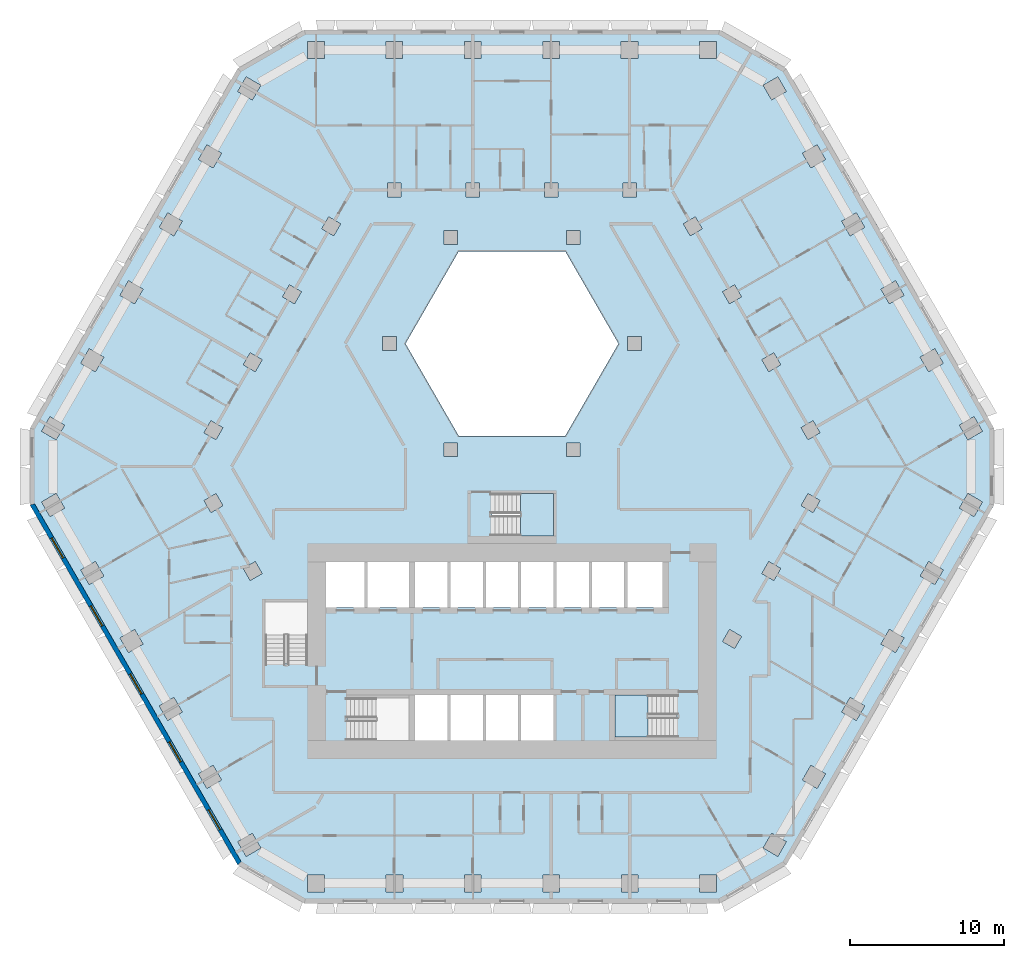
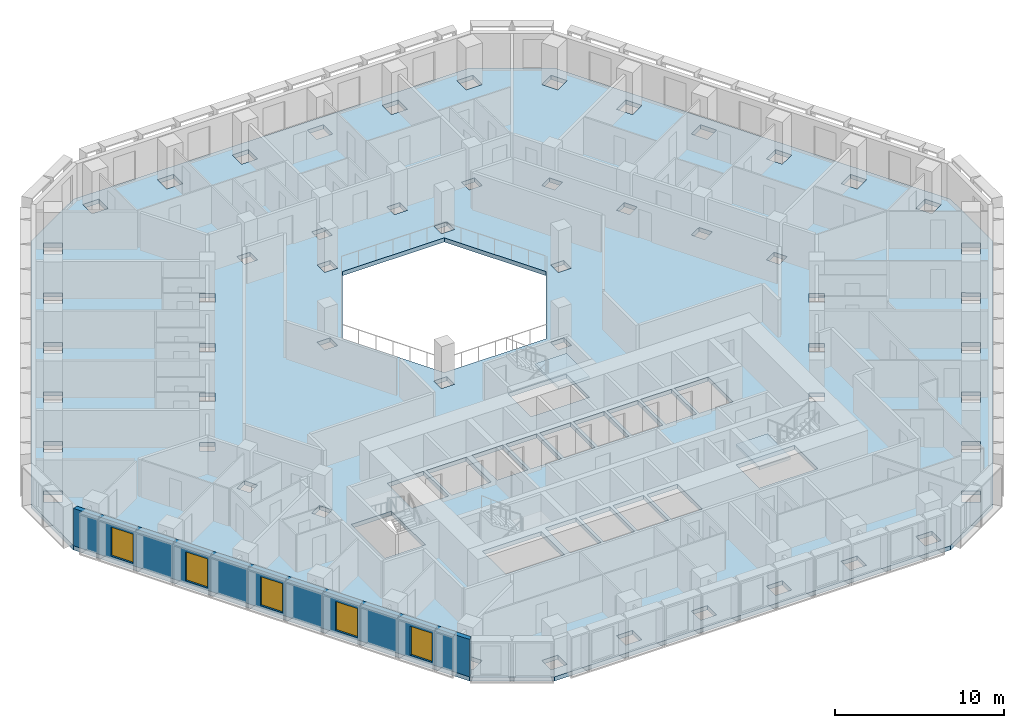
# One storey, part 2 of 16: 5 windows, 3 slabs, 1 wall, 5 openings, 2 elements without a shape of their own.
"""IFC4 building model written with IfcOpenShell, lengths in metres."""

import ifcopenshell
import ifcopenshell.guid

model = None  # the IFC model being written
_history = None  # IfcOwnerHistory: only IFC2X3 demands one
_inside = {}  # id of a spatial element -> (the spatial element, [elements in it])
_under = {}  # id of a project, library or spatial element -> (it, [spatial elements below it])
_declared = {}  # id of a project -> (the project, [libraries it declares])
_typed = {}  # id of a type object -> (the type object, [elements of that type])
_made_of = {}  # id of a material, layer set ... -> (it, [elements and type objects made of it])


def new_model(schema):
    """Start an empty IFC model of exactly this schema.

    Asked for "IFC4X3", IfcOpenShell would pick the latest addendum, in which some entities
    have other attributes; the version numbers below select the first issue.
    IFC2X3 requires an IfcOwnerHistory on every rooted entity: one is made here for all.
    """
    global model, _history
    if schema == "IFC4X3":
        model = ifcopenshell.file(schema_version=(4, 3, 0, 0))
    else:
        model = ifcopenshell.file(schema=schema)
    _inside.clear()
    _under.clear()
    _declared.clear()
    _typed.clear()
    _made_of.clear()
    _history = None
    if model.schema == "IFC2X3":
        org = make("IfcOrganization", Name="unknown")
        user = make(
            "IfcPersonAndOrganization",
            ThePerson=make("IfcPerson", FamilyName="unknown"),
            TheOrganization=org,
        )
        app = make(
            "IfcApplication",
            ApplicationDeveloper=org,
            Version="unknown",
            ApplicationFullName="unknown",
            ApplicationIdentifier="unknown",
        )
        _history = make(
            "IfcOwnerHistory",
            OwningUser=user,
            OwningApplication=app,
            ChangeAction="ADDED",
            CreationDate=0,
        )
    return model


def make(cls, **values):
    """One entity of the class cls with the attributes given. An attribute that is None is left unset."""
    return model.create_entity(
        cls, **{name: value for name, value in values.items() if value is not None}
    )


def rooted(cls, **values):
    """An entity with a GlobalId (a new one), such as an element, a storey or a relation."""
    return make(cls, GlobalId=ifcopenshell.guid.new(), OwnerHistory=_history, **values)


def si_unit(unit_type, name, prefix=None):
    """IfcSIUnit, for example si_unit("LENGTHUNIT", "METRE", prefix="MILLI")."""
    return make("IfcSIUnit", UnitType=unit_type, Prefix=prefix, Name=name)


def assignment(units):
    """IfcUnitAssignment: the units of a project."""
    return None if units is None else make("IfcUnitAssignment", Units=units)


def point(xyz):
    """IfcCartesianPoint."""
    return None if xyz is None else make("IfcCartesianPoint", Coordinates=xyz)


def direction(xyz):
    """IfcDirection."""
    return None if xyz is None else make("IfcDirection", DirectionRatios=xyz)


def frame(location, z_axis=None, x_axis=None):
    """IfcAxis2Placement3D, a coordinate frame: its origin and axes. An axis left out is left unset."""
    return make(
        "IfcAxis2Placement3D",
        Location=point(location),
        Axis=direction(z_axis),
        RefDirection=direction(x_axis),
    )


def frame_2d(location, x_axis=None):
    """IfcAxis2Placement2D, a coordinate frame in the plane: its origin and x axis."""
    return make(
        "IfcAxis2Placement2D", Location=point(location), RefDirection=direction(x_axis)
    )


def origin():
    """The frame at (0, 0, 0) with its axes left unset."""
    return frame((0.0, 0.0, 0.0))


def place(relative_to, where):
    """IfcLocalPlacement: puts the frame where relative to a parent placement (None: the world)."""
    return make(
        "IfcLocalPlacement", PlacementRelTo=relative_to, RelativePlacement=where
    )


def context(
    kind, dimensions, precision=None, world=None, true_north=None, identifier=None
):
    """IfcGeometricRepresentationContext, for example the 3D "Model" context."""
    return make(
        "IfcGeometricRepresentationContext",
        ContextIdentifier=identifier,
        ContextType=kind,
        CoordinateSpaceDimension=dimensions,
        Precision=precision,
        WorldCoordinateSystem=world,
        TrueNorth=true_north,
    )


def subcontext(parent, identifier, kind, view, scale=None):
    """IfcGeometricRepresentationSubContext, for example "Body" below "Model"."""
    return make(
        "IfcGeometricRepresentationSubContext",
        ContextIdentifier=identifier,
        ContextType=kind,
        ParentContext=parent,
        TargetScale=scale,
        TargetView=view,
    )


def project(units=None, contexts=None):
    """IfcProject with its units and contexts."""
    return rooted(
        "IfcProject",
        Name="project",
        RepresentationContexts=contexts,
        UnitsInContext=assignment(units),
    )


def spatial(cls, under=None, at=None, **own):
    """A site, building, storey or space (cls), placed at a placement, below another one or the project."""
    s = rooted(cls, ObjectPlacement=at, **own)
    if under is not None:
        _under.setdefault(under.id(), (under, []))[1].append(s)
    return s


def polyline(points):
    """IfcPolyline through the points."""
    return make("IfcPolyline", Points=[point(p) for p in points])


def profile(cls, at=None, kind="AREA", **sizes):
    """A parametric profile (cls). Its sizes go by their IFC names, for example OverallWidth=200.0."""
    return make(cls, ProfileType=kind, Position=at, **sizes)


def rectangle(**sizes):
    """IfcRectangleProfileDef."""
    return profile("IfcRectangleProfileDef", **sizes)


def outline(outer, holes=None, kind="AREA"):
    """IfcArbitraryClosedProfileDef: a profile drawn as a closed curve; with holes, ...WithVoids."""
    if holes is None:
        return make("IfcArbitraryClosedProfileDef", ProfileType=kind, OuterCurve=outer)
    return make(
        "IfcArbitraryProfileDefWithVoids",
        ProfileType=kind,
        OuterCurve=outer,
        InnerCurves=holes,
    )


def extrude(swept, where, along, depth):
    """IfcExtrudedAreaSolid: the profile swept, set in the frame where, extruded along a direction by depth."""
    return make(
        "IfcExtrudedAreaSolid",
        SweptArea=swept,
        Position=where,
        ExtrudedDirection=direction(along),
        Depth=depth,
    )


def shape(context_of_items, identifier, shape_type, items):
    """IfcShapeRepresentation: the items that make up one representation, for example the "Body"."""
    return make(
        "IfcShapeRepresentation",
        ContextOfItems=context_of_items,
        RepresentationIdentifier=identifier,
        RepresentationType=shape_type,
        Items=items,
    )


def material(Name=None, Category=None):
    """IfcMaterial."""
    return make("IfcMaterial", Name=Name, Category=Category)


def layer(
    of_material, thickness, ventilated=None, Name=None, Category=None, Priority=None
):
    """IfcMaterialLayer: one layer of a wall or slab, of a material (None: an air gap)."""
    return make(
        "IfcMaterialLayer",
        Material=of_material,
        LayerThickness=thickness,
        IsVentilated=ventilated,
        Name=Name,
        Category=Category,
        Priority=Priority,
    )


def layer_set(layers, Name=None):
    """IfcMaterialLayerSet."""
    return make("IfcMaterialLayerSet", MaterialLayers=layers, LayerSetName=Name)


def made_of(thing, what):
    """Note that an element or type object is made of a material, layer set ...; save() writes the relation."""
    if what is not None:
        _made_of.setdefault(what.id(), (what, []))[1].append(thing)
    return thing


def type_object(cls, material=None, **own):
    """A type object (cls), such as IfcWallType, which elements share."""
    return made_of(rooted(cls, **own), material)


def element(
    cls,
    number,
    at=None,
    inside=None,
    cuts=None,
    type_object=None,
    material=None,
    context=None,
    identifier="Body",
    shape_type=None,
    held_by="IfcProductDefinitionShape",
    body=None,
    shapes=None,
    **own,
):
    """One element of the class cls, such as IfcWall. Its Tag is "e" and its number.

    at: its placement. inside: the storey or other place that contains it. cuts: it is an
    opening in that element (IfcRelVoidsElement). A single representation is given by context,
    identifier, shape_type and body (its items); several are given by shapes. held_by: the class
    of the entity that holds the representations. save() writes the other relations.
    """
    e = rooted(cls, Tag="e%d" % number, ObjectPlacement=at, **own)
    if body is not None:
        shapes = [shape(context, identifier, shape_type, body)]
    if shapes is not None:
        e.Representation = make(held_by, Representations=shapes)
    if inside is not None:
        _inside.setdefault(inside.id(), (inside, []))[1].append(e)
    if cuts is not None:
        rooted(
            "IfcRelVoidsElement", RelatingBuildingElement=cuts, RelatedOpeningElement=e
        )
    if type_object is not None:
        _typed.setdefault(type_object.id(), (type_object, []))[1].append(e)
    return made_of(e, material)


def fill(opening, filler):
    """IfcRelFillsElement: the door or window that sits in an opening."""
    return rooted(
        "IfcRelFillsElement",
        RelatingOpeningElement=opening,
        RelatedBuildingElement=filler,
    )


def aggregate(whole, parts):
    """IfcRelAggregates: a whole, such as a stair, and the parts it consists of."""
    return rooted("IfcRelAggregates", RelatingObject=whole, RelatedObjects=parts)


def save(model, path):
    """Write the relations noted so far, then the file.

    IfcRelAggregates (storeys below a building ...), IfcRelContainedInSpatialStructure (elements
    in a storey), IfcRelDefinesByType, IfcRelAssociatesMaterial and IfcRelDeclares: one each for
    every whole, place, type object, material and project.
    """
    for whole, parts in _under.values():
        aggregate(whole, parts)
    for where, things in _inside.values():
        rooted(
            "IfcRelContainedInSpatialStructure",
            RelatedElements=things,
            RelatingStructure=where,
        )
    for kind, things in _typed.values():
        rooted("IfcRelDefinesByType", RelatedObjects=things, RelatingType=kind)
    for what, things in _made_of.values():
        rooted("IfcRelAssociatesMaterial", RelatedObjects=things, RelatingMaterial=what)
    for by, libraries in _declared.values():
        rooted("IfcRelDeclares", RelatingContext=by, RelatedDefinitions=libraries)
    model.write(path)


model = new_model("IFC4")

# Units and contexts
model_context = context("Model", 3, precision=1e-05, world=origin(), true_north=direction((0.0, 1.0)))
body_context = subcontext(model_context, "Body", "Model", "MODEL_VIEW")
ifc_project = project(units=[si_unit("LENGTHUNIT", "METRE"), si_unit("AREAUNIT", "SQUARE_METRE"), si_unit("VOLUMEUNIT", "CUBIC_METRE"), si_unit("PLANEANGLEUNIT", "RADIAN"), si_unit("MASSUNIT", "GRAM", prefix="KILO")], contexts=[model_context])

# Site, building, storey
site_placement = place(None, origin())
site = spatial("IfcSite", under=ifc_project, at=site_placement, CompositionType="ELEMENT")
building_placement = place(site_placement, origin())
building = spatial("IfcBuilding", under=site, at=building_placement, Name="Beryl Residences", CompositionType="ELEMENT")
storey_placement = place(building_placement, frame((0.0, 0.0, 26.39990234375)))
storey = spatial("IfcBuildingStorey", under=building, at=storey_placement, Name="L07", CompositionType="ELEMENT", Elevation=26.39990234375)

# Slab
ifc_material_1 = material(Name="Concrete C40/50", Category="concrete")
ifc_layer_1 = layer(ifc_material_1, 0.300048828125)
ifc_layer_set_1 = layer_set([ifc_layer_1], Name="SL7 PT floor slab 300 mm C40/50")
slab_type_1 = type_object("IfcSlabType", Name="SL7 PT floor slab 300 mm C40/50", PredefinedType="FLOOR", material=ifc_layer_set_1)
slab_1_placement = place(storey_placement, frame((0.0, 0.0, -0.2998046875)))
element("IfcSlab", 1, at=slab_1_placement, inside=storey, type_object=slab_type_1, Name="L07 slab 1", PredefinedType="FLOOR", context=body_context, shape_type="SweptSolid", body=[
    extrude(outline(polyline([(31.35009765625, -2.5), (17.840087890625, -25.89990234375), (13.510009765625, -28.39990234375), (-13.510009765625, -28.39990234375), (-17.840087890625, -25.89990234375), (-31.35009765625, -2.5), (-31.35009765625, 2.5), (-17.840087890625, 25.89990234375), (-13.510009765625, 28.39990234375), (13.510009765625, 28.39990234375), (17.840087890625, 25.89990234375), (31.35009765625, 2.5), (31.35009765625, -2.5)]), holes=[polyline([(30.60009765625, -2.298095703125), (29.64794921875, -1.748046875), (29.097900390625, -2.699951171875), (30.050048828125, -3.25), (30.60009765625, -2.298095703125)]), polyline([(30.59912109375, 2.299072265625), (30.049072265625, 3.2509765625), (29.096923828125, 2.700927734375), (29.64697265625, 1.7490234375), (30.59912109375, 2.299072265625)]), polyline([(28.049072265625, -6.718017578125), (27.096923828125, -6.16796875), (26.547119140625, -7.1201171875), (27.4990234375, -7.669921875), (28.049072265625, -6.718017578125)]), polyline([(27.498046875, 7.672119140625), (26.5458984375, 7.1220703125), (27.095947265625, 6.169921875), (28.048095703125, 6.719970703125), (27.498046875, 7.672119140625)]), polyline([(24.544921875, -10.587890625), (23.9951171875, -11.5400390625), (24.947021484375, -12.090087890625), (25.4970703125, -11.137939453125), (24.544921875, -10.587890625)]), polyline([(25.49609375, 11.139892578125), (24.946044921875, 12.092041015625), (23.993896484375, 11.5419921875), (24.5439453125, 10.590087890625), (25.49609375, 11.139892578125)]), polyline([(22.39501953125, -16.510009765625), (22.945068359375, -15.55810546875), (21.992919921875, -15.008056640625), (21.443115234375, -15.9599609375), (22.39501953125, -16.510009765625)]), polyline([(22.39404296875, 16.511962890625), (21.44189453125, 15.9619140625), (21.991943359375, 15.010009765625), (22.944091796875, 15.56005859375), (22.39404296875, 16.511962890625)]), polyline([(20.39306640625, -19.97900390625), (19.44091796875, -19.428955078125), (18.89111328125, -20.381103515625), (19.843017578125, -20.930908203125), (20.39306640625, -19.97900390625)]), polyline([(19.842041015625, 20.931884765625), (18.889892578125, 20.382080078125), (19.43994140625, 19.429931640625), (20.39208984375, 19.97998046875), (19.842041015625, 20.931884765625)]), polyline([(20.031982421875, -2.2041015625), (19.251953125, -1.75390625), (18.802001953125, -2.533935546875), (19.58203125, -2.98388671875), (20.031982421875, -2.2041015625)]), polyline([(20.031005859375, 2.2060546875), (19.5810546875, 2.986083984375), (18.801025390625, 2.535888671875), (19.2509765625, 1.756103515625), (20.031005859375, 2.2060546875)]), polyline([(17.841064453125, -24.39892578125), (16.888916015625, -23.84912109375), (16.339111328125, -24.801025390625), (17.291015625, -25.35107421875), (17.841064453125, -24.39892578125)]), polyline([(17.840087890625, 24.39990234375), (17.2900390625, 25.35205078125), (16.337890625, 24.802001953125), (16.887939453125, 23.85009765625), (17.840087890625, 24.39990234375)]), polyline([(17.47998046875, -6.6240234375), (16.699951171875, -6.174072265625), (16.25, -6.9541015625), (17.030029296875, -7.404052734375), (17.47998046875, -6.6240234375)]), polyline([(17.029052734375, 7.406005859375), (16.2490234375, 6.9560546875), (16.698974609375, 6.176025390625), (17.47900390625, 6.6259765625), (17.029052734375, 7.406005859375)]), polyline([(14.927978515625, -11.0439453125), (14.14794921875, -10.593994140625), (13.697998046875, -11.3740234375), (14.47802734375, -11.823974609375), (14.927978515625, -11.0439453125)]), polyline([(14.927001953125, 11.0458984375), (14.47705078125, 11.825927734375), (13.697021484375, 11.3759765625), (14.14697265625, 10.595947265625), (14.927001953125, 11.0458984375)]), polyline([(13.31103515625, -27.64990234375), (13.31103515625, -26.550048828125), (12.2109375, -26.550048828125), (12.2109375, -27.64990234375), (13.31103515625, -27.64990234375)]), polyline([(13.30908203125, 27.64990234375), (12.208984375, 27.64990234375), (12.208984375, 26.550048828125), (13.30908203125, 26.550048828125), (13.30908203125, 27.64990234375)]), polyline([(11.925048828125, 16.24609375), (11.14501953125, 15.7958984375), (11.594970703125, 15.01611328125), (12.375, 15.466064453125), (11.925048828125, 16.24609375)]), polyline([(10.699951171875, -14.85009765625), (6.699951171875, -14.85009765625), (6.699951171875, -17.60009765625), (10.699951171875, -17.60009765625), (10.699951171875, -14.85009765625)]), polyline([(9.800048828125, -6.199951171875), (7.5, -6.199951171875), (7.5, -9.14990234375), (9.800048828125, -9.14990234375), (9.800048828125, -6.199951171875)]), polyline([(8.4169921875, 7.550048828125), (8.4169921875, 8.449951171875), (7.51708984375, 8.449951171875), (7.51708984375, 7.550048828125), (8.4169921875, 7.550048828125)]), polyline([(7.10693359375, -27.64990234375), (8.20703125, -27.64990234375), (8.20703125, -26.550048828125), (7.10693359375, -26.550048828125), (7.10693359375, -27.64990234375)]), polyline([(8.205078125, 27.64990234375), (7.10498046875, 27.64990234375), (7.10498046875, 26.550048828125), (8.205078125, 26.550048828125), (8.205078125, 27.64990234375)]), polyline([(7.205078125, 18.449951171875), (7.205078125, 17.550048828125), (8.10498046875, 17.550048828125), (8.10498046875, 18.449951171875), (7.205078125, 18.449951171875)]), polyline([(5.199951171875, -9.14990234375), (7.300048828125, -9.14990234375), (7.300048828125, -6.199951171875), (5.199951171875, -6.199951171875), (5.199951171875, -9.14990234375)]), polyline([(3.464111328125, 14.0), (-3.464111328125, 14.0), (-6.92822265625, 8.0), (-3.464111328125, 2.0), (3.464111328125, 2.0), (6.92822265625, 8.0), (3.464111328125, 14.0)]), polyline([(2.89990234375, -6.199951171875), (2.89990234375, -9.14990234375), (5.0, -9.14990234375), (5.0, -6.199951171875), (2.89990234375, -6.199951171875)]), polyline([(4.43408203125, 15.35009765625), (3.533935546875, 15.35009765625), (3.533935546875, 14.449951171875), (4.43408203125, 14.449951171875), (4.43408203125, 15.35009765625)]), polyline([(4.43408203125, 0.64990234375), (4.43408203125, 1.550048828125), (3.533935546875, 1.550048828125), (3.533935546875, 0.64990234375), (4.43408203125, 0.64990234375)]), polyline([(3.10302734375, -27.64990234375), (3.10302734375, -26.550048828125), (2.0029296875, -26.550048828125), (2.0029296875, -27.64990234375), (3.10302734375, -27.64990234375)]), polyline([(2.0009765625, 27.64990234375), (2.0009765625, 26.550048828125), (3.10107421875, 26.550048828125), (3.10107421875, 27.64990234375), (2.0009765625, 27.64990234375)]), polyline([(3.0009765625, 18.449951171875), (2.10107421875, 18.449951171875), (2.10107421875, 17.550048828125), (3.0009765625, 17.550048828125), (3.0009765625, 18.449951171875)]), polyline([(-1.300048828125, -1.75), (-1.300048828125, -4.5), (2.699951171875, -4.5), (2.699951171875, -1.75), (-1.300048828125, -1.75)]), polyline([(0.60009765625, -9.14990234375), (2.699951171875, -9.14990234375), (2.699951171875, -6.199951171875), (0.60009765625, -6.199951171875), (0.60009765625, -9.14990234375)]), polyline([(0.60009765625, -17.800048828125), (2.699951171875, -17.800048828125), (2.699951171875, -14.85009765625), (0.60009765625, -14.85009765625), (0.60009765625, -17.800048828125)]), polyline([(-1.699951171875, -6.199951171875), (-1.699951171875, -9.14990234375), (0.39990234375, -9.14990234375), (0.39990234375, -6.199951171875), (-1.699951171875, -6.199951171875)]), polyline([(-1.699951171875, -14.85009765625), (-1.699951171875, -17.800048828125), (0.39990234375, -17.800048828125), (0.39990234375, -14.85009765625), (-1.699951171875, -14.85009765625)]), polyline([(-4.0, -9.14990234375), (-1.89990234375, -9.14990234375), (-1.89990234375, -6.199951171875), (-4.0, -6.199951171875), (-4.0, -9.14990234375)]), polyline([(-4.0, -17.800048828125), (-1.89990234375, -17.800048828125), (-1.89990234375, -14.85009765625), (-4.0, -14.85009765625), (-4.0, -17.800048828125)]), polyline([(-2.0009765625, -27.64990234375), (-2.0009765625, -26.550048828125), (-3.10107421875, -26.550048828125), (-3.10107421875, -27.64990234375), (-2.0009765625, -27.64990234375)]), polyline([(-3.10302734375, 27.64990234375), (-3.10302734375, 26.550048828125), (-2.0029296875, 26.550048828125), (-2.0029296875, 27.64990234375), (-3.10302734375, 27.64990234375)]), polyline([(-2.10302734375, 18.449951171875), (-3.0029296875, 18.449951171875), (-3.0029296875, 17.550048828125), (-2.10302734375, 17.550048828125), (-2.10302734375, 18.449951171875)]), polyline([(-3.533935546875, 14.449951171875), (-3.533935546875, 15.35009765625), (-4.43408203125, 15.35009765625), (-4.43408203125, 14.449951171875), (-3.533935546875, 14.449951171875)]), polyline([(-3.533935546875, 0.64990234375), (-3.533935546875, 1.550048828125), (-4.43408203125, 1.550048828125), (-4.43408203125, 0.64990234375), (-3.533935546875, 0.64990234375)]), polyline([(-6.300048828125, -9.14990234375), (-4.199951171875, -9.14990234375), (-4.199951171875, -6.199951171875), (-6.300048828125, -6.199951171875), (-6.300048828125, -9.14990234375)]), polyline([(-6.300048828125, -14.85009765625), (-6.300048828125, -17.800048828125), (-4.199951171875, -17.800048828125), (-4.199951171875, -14.85009765625), (-6.300048828125, -14.85009765625)]), polyline([(-6.699951171875, -17.800048828125), (-6.699951171875, -15.050048828125), (-10.699951171875, -15.050048828125), (-10.699951171875, -17.800048828125), (-6.699951171875, -17.800048828125)]), polyline([(-9.39990234375, -6.199951171875), (-9.39990234375, -9.14990234375), (-6.699951171875, -9.14990234375), (-6.699951171875, -6.199951171875), (-9.39990234375, -6.199951171875)]), polyline([(-8.205078125, -27.64990234375), (-7.10498046875, -27.64990234375), (-7.10498046875, -26.550048828125), (-8.205078125, -26.550048828125), (-8.205078125, -27.64990234375)]), polyline([(-7.10693359375, 27.64990234375), (-8.20703125, 27.64990234375), (-8.20703125, 26.550048828125), (-7.10693359375, 26.550048828125), (-7.10693359375, 27.64990234375)]), polyline([(-8.10693359375, 18.449951171875), (-8.10693359375, 17.550048828125), (-7.20703125, 17.550048828125), (-7.20703125, 18.449951171875), (-8.10693359375, 18.449951171875)]), polyline([(-8.4169921875, 7.550048828125), (-7.51708984375, 7.550048828125), (-7.51708984375, 8.449951171875), (-8.4169921875, 8.449951171875), (-8.4169921875, 7.550048828125)]), polyline([(-12.10009765625, -6.199951171875), (-12.10009765625, -9.14990234375), (-9.60009765625, -9.14990234375), (-9.60009765625, -6.199951171875), (-12.10009765625, -6.199951171875)]), polyline([(-12.3759765625, 15.465087890625), (-11.595947265625, 15.014892578125), (-11.14599609375, 15.794921875), (-11.926025390625, 16.2451171875), (-12.3759765625, 15.465087890625)]), polyline([(-12.208984375, -26.550048828125), (-13.30908203125, -26.550048828125), (-13.30908203125, -27.64990234375), (-12.208984375, -27.64990234375), (-12.208984375, -26.550048828125)]), polyline([(-13.31103515625, 27.64990234375), (-13.31103515625, 26.550048828125), (-12.2109375, 26.550048828125), (-12.2109375, 27.64990234375), (-13.31103515625, 27.64990234375)]), polyline([(-13.300048828125, -8.800048828125), (-16.050048828125, -8.800048828125), (-16.050048828125, -12.800048828125), (-13.300048828125, -12.800048828125), (-13.300048828125, -8.800048828125)]), polyline([(-14.47802734375, 11.823974609375), (-14.927978515625, 11.0439453125), (-14.14794921875, 10.593994140625), (-13.697998046875, 11.3740234375), (-14.47802734375, 11.823974609375)]), polyline([(-17.029052734375, -7.406005859375), (-16.2490234375, -6.9560546875), (-16.698974609375, -6.176025390625), (-17.47900390625, -6.6259765625), (-17.029052734375, -7.406005859375)]), polyline([(-17.47998046875, 6.6240234375), (-16.699951171875, 6.174072265625), (-16.25, 6.9541015625), (-17.030029296875, 7.404052734375), (-17.47998046875, 6.6240234375)]), polyline([(-17.2900390625, -25.35205078125), (-16.337890625, -24.802001953125), (-16.887939453125, -23.85009765625), (-17.840087890625, -24.39990234375), (-17.2900390625, -25.35205078125)]), polyline([(-17.841064453125, 24.39892578125), (-16.888916015625, 23.84912109375), (-16.339111328125, 24.801025390625), (-17.291015625, 25.35107421875), (-17.841064453125, 24.39892578125)]), polyline([(-20.031005859375, -2.2060546875), (-19.5810546875, -2.986083984375), (-18.801025390625, -2.535888671875), (-19.2509765625, -1.756103515625), (-20.031005859375, -2.2060546875)]), polyline([(-19.58203125, 2.98388671875), (-20.031982421875, 2.2041015625), (-19.251953125, 1.75390625), (-18.802001953125, 2.533935546875), (-19.58203125, 2.98388671875)]), polyline([(-19.842041015625, -20.931884765625), (-18.889892578125, -20.382080078125), (-19.43994140625, -19.429931640625), (-20.39208984375, -19.97998046875), (-19.842041015625, -20.931884765625)]), polyline([(-20.39306640625, 19.97900390625), (-19.44091796875, 19.428955078125), (-18.89111328125, 20.381103515625), (-19.843017578125, 20.930908203125), (-20.39306640625, 19.97900390625)]), polyline([(-22.39404296875, -16.511962890625), (-21.44189453125, -15.9619140625), (-21.991943359375, -15.010009765625), (-22.944091796875, -15.56005859375), (-22.39404296875, -16.511962890625)]), polyline([(-22.945068359375, 15.55810546875), (-21.992919921875, 15.008056640625), (-21.443115234375, 15.9599609375), (-22.39501953125, 16.510009765625), (-22.945068359375, 15.55810546875)]), polyline([(-24.946044921875, -12.092041015625), (-23.993896484375, -11.5419921875), (-24.5439453125, -10.590087890625), (-25.49609375, -11.139892578125), (-24.946044921875, -12.092041015625)]), polyline([(-24.544921875, 10.587890625), (-23.9951171875, 11.5400390625), (-24.947021484375, 12.090087890625), (-25.4970703125, 11.137939453125), (-24.544921875, 10.587890625)]), polyline([(-27.498046875, -7.672119140625), (-26.5458984375, -7.1220703125), (-27.095947265625, -6.169921875), (-28.048095703125, -6.719970703125), (-27.498046875, -7.672119140625)]), polyline([(-28.049072265625, 6.718017578125), (-27.096923828125, 6.16796875), (-26.547119140625, 7.1201171875), (-27.4990234375, 7.669921875), (-28.049072265625, 6.718017578125)]), polyline([(-29.096923828125, -2.700927734375), (-29.64697265625, -1.7490234375), (-30.59912109375, -2.299072265625), (-30.049072265625, -3.2509765625), (-29.096923828125, -2.700927734375)]), polyline([(-30.60009765625, 2.298095703125), (-29.64794921875, 1.748046875), (-29.097900390625, 2.699951171875), (-30.050048828125, 3.25), (-30.60009765625, 2.298095703125)])]), origin(), (0.0, 0.0, 1.0), 0.2998046875),
])

# Stair, slab
ifc_material_2 = material(Name="Concrete C40/50", Category="concrete")
stair_type = type_object("IfcStairType", Name="ST1 protected exit stair, half-turn, 1300 mm flights", PredefinedType="HALF_TURN_STAIR", material=ifc_material_2)
stair_1_placement = place(storey_placement, origin())
stair_1 = element("IfcStair", 2, at=stair_1_placement, inside=storey, type_object=stair_type, Name="L07 PROTECTED EXIT STAIR ST-3", PredefinedType="HALF_TURN_STAIR")
ifc_material_3 = material(Name="Concrete C40/50", Category="concrete")
ifc_layer_2 = layer(ifc_material_3, 0.199951171875)
ifc_layer_set_2 = layer_set([ifc_layer_2], Name="SLD1 stair landing 200 mm")
slab_type_2 = type_object("IfcSlabType", Name="SLD1 stair landing 200 mm", PredefinedType="LANDING", material=ifc_layer_set_2)
slab_2_placement = place(storey_placement, frame((0.0, 0.0, 1.300048828125)))
slab_2 = element("IfcSlab", 3, at=slab_2_placement, type_object=slab_type_2, Name="ST-3 landing 1", PredefinedType="LANDING", context=body_context, shape_type="SweptSolid", body=[
    extrude(outline(polyline([(8.840087890625, -14.85009765625), (6.699951171875, -14.85009765625), (6.699951171875, -17.60009765625), (8.840087890625, -17.60009765625), (8.840087890625, -14.85009765625)])), origin(), (0.0, 0.0, 1.0), 0.199951171875),
])
aggregate(stair_1, [slab_2])

stair_2_placement = place(storey_placement, origin())
stair_2 = element("IfcStair", 4, at=stair_2_placement, inside=storey, type_object=stair_type, Name="L07 PROTECTED EXIT STAIR ST-4", PredefinedType="HALF_TURN_STAIR")
slab_3_placement = place(storey_placement, frame((0.0, 0.0, 1.300048828125)))
slab_3 = element("IfcSlab", 5, at=slab_3_placement, type_object=slab_type_2, Name="ST-4 landing 1", PredefinedType="LANDING", context=body_context, shape_type="SweptSolid", body=[
    extrude(outline(polyline([(0.56005859375, -4.5), (2.699951171875, -4.5), (2.699951171875, -1.75), (0.56005859375, -1.75), (0.56005859375, -4.5)])), origin(), (0.0, 0.0, 1.0), 0.199951171875),
])
aggregate(stair_2, [slab_3])

# Wall, openings, windows
ifc_material_4 = material(Name="Composite metal panel with mineral wool insulation")
ifc_layer_3 = layer(ifc_material_4, 0.300048828125)
ifc_layer_set_3 = layer_set([ifc_layer_3], Name="ES1 pale metal composite panel wall 300 mm")
wall_type = type_object("IfcWallType", Name="ES1 pale metal composite panel wall 300 mm", PredefinedType="SOLIDWALL", material=ifc_layer_set_3)
wall_placement = place(storey_placement, frame((-31.219970703125, -2.425048828125, 0.0), z_axis=(0.0, 0.0, 1.0), x_axis=(0.500001938803, -0.866024284413, 0.0)))
wall = element("IfcWall", 6, at=wall_placement, inside=storey, type_object=wall_type, Name="ES1 external wall L07 SW", PredefinedType="SOLIDWALL", context=body_context, shape_type="SweptSolid", body=[
    extrude(outline(polyline([(0.0, -0.14990234375), (27.02001953125, -0.14990234375), (26.939697265625, 0.14990234375), (0.080322265625, 0.14990234375), (0.0, -0.14990234375)])), origin(), (0.0, 0.0, 1.0), 2.7001953125),
])
opening_1_placement = place(wall_placement, frame((2.552978515625, 0.0, 0.14990234375)))
opening_1 = element("IfcOpeningElement", 7, at=opening_1_placement, cuts=wall, Name="Opening W1", PredefinedType="OPENING", context=body_context, shape_type="SweptSolid", body=[
    extrude(rectangle(XDim=1.5, YDim=2.10009765625, at=frame_2d((0.75, 1.050048828125))), frame((0.0, 0.159912109375, 0.0), z_axis=(0.0, -1.0, 0.0), x_axis=(1.0, 0.0, 0.0)), (0.0, 0.0, 1.0), 0.320068359375),
])
opening_2_placement = place(wall_placement, frame((7.656982421875, 0.0, 0.14990234375)))
opening_2 = element("IfcOpeningElement", 8, at=opening_2_placement, cuts=wall, Name="Opening W1", PredefinedType="OPENING", context=body_context, shape_type="SweptSolid", body=[
    extrude(rectangle(XDim=1.5, YDim=2.10009765625, at=frame_2d((0.75, 1.050048828125))), frame((0.0, 0.159912109375, 0.0), z_axis=(0.0, -1.0, 0.0), x_axis=(1.0, 0.0, 0.0)), (0.0, 0.0, 1.0), 0.320068359375),
])
opening_3_placement = place(wall_placement, frame((12.760986328125, 0.0, 0.14990234375)))
opening_3 = element("IfcOpeningElement", 9, at=opening_3_placement, cuts=wall, Name="Opening W1", PredefinedType="OPENING", context=body_context, shape_type="SweptSolid", body=[
    extrude(rectangle(XDim=1.5, YDim=2.10009765625, at=frame_2d((0.75, 1.050048828125))), frame((0.0, 0.159912109375, 0.0), z_axis=(0.0, -1.0, 0.0), x_axis=(1.0, 0.0, 0.0)), (0.0, 0.0, 1.0), 0.320068359375),
])
opening_4_placement = place(wall_placement, frame((17.864990234375, 0.0, 0.14990234375)))
opening_4 = element("IfcOpeningElement", 10, at=opening_4_placement, cuts=wall, Name="Opening W1", PredefinedType="OPENING", context=body_context, shape_type="SweptSolid", body=[
    extrude(rectangle(XDim=1.5, YDim=2.10009765625, at=frame_2d((0.75, 1.050048828125))), frame((0.0, 0.159912109375, 0.0), z_axis=(0.0, -1.0, 0.0), x_axis=(1.0, 0.0, 0.0)), (0.0, 0.0, 1.0), 0.320068359375),
])
opening_5_placement = place(wall_placement, frame((22.968994140625, 0.0, 0.14990234375)))
opening_5 = element("IfcOpeningElement", 11, at=opening_5_placement, cuts=wall, Name="Opening W1", PredefinedType="OPENING", context=body_context, shape_type="SweptSolid", body=[
    extrude(rectangle(XDim=1.5, YDim=2.10009765625, at=frame_2d((0.75, 1.050048828125))), frame((0.0, 0.159912109375, 0.0), z_axis=(0.0, -1.0, 0.0), x_axis=(1.0, 0.0, 0.0)), (0.0, 0.0, 1.0), 0.320068359375),
])
ifc_material_5 = material(Name="Aluminium and clear glass", Category="aluminium")
window_type = type_object("IfcWindowType", Name="W1 cell window 1500 x 2100 mm", PartitioningType="SINGLE_PANEL", PredefinedType="WINDOW", material=ifc_material_5)
window_1_placement = place(opening_1_placement, origin())
window_1 = element("IfcWindow", 12, at=window_1_placement, inside=storey, type_object=window_type, Name="W1 window L07 SW 2", OverallHeight=2.10009765625, OverallWidth=1.5, PartitioningType="SINGLE_PANEL", PredefinedType="WINDOW", context=body_context, shape_type="SweptSolid", body=[
    extrude(rectangle(XDim=1.5, YDim=2.10009765625, at=frame_2d((0.75, 1.050048828125))), frame((0.0, 0.030029296875, 0.0), z_axis=(0.0, -1.0, 0.0), x_axis=(1.0, 0.0, 0.0)), (0.0, 0.0, 1.0), 0.06005859375),
])
fill(opening_1, window_1)
window_2_placement = place(opening_2_placement, origin())
window_2 = element("IfcWindow", 13, at=window_2_placement, inside=storey, type_object=window_type, Name="W1 window L07 SW 4", OverallHeight=2.10009765625, OverallWidth=1.5, PartitioningType="SINGLE_PANEL", PredefinedType="WINDOW", context=body_context, shape_type="SweptSolid", body=[
    extrude(rectangle(XDim=1.5, YDim=2.10009765625, at=frame_2d((0.75, 1.050048828125))), frame((0.0, 0.030029296875, 0.0), z_axis=(0.0, -1.0, 0.0), x_axis=(1.0, 0.0, 0.0)), (0.0, 0.0, 1.0), 0.06005859375),
])
fill(opening_2, window_2)
window_3_placement = place(opening_3_placement, origin())
window_3 = element("IfcWindow", 14, at=window_3_placement, inside=storey, type_object=window_type, Name="W1 window L07 SW 6", OverallHeight=2.10009765625, OverallWidth=1.5, PartitioningType="SINGLE_PANEL", PredefinedType="WINDOW", context=body_context, shape_type="SweptSolid", body=[
    extrude(rectangle(XDim=1.5, YDim=2.10009765625, at=frame_2d((0.75, 1.050048828125))), frame((0.0, 0.030029296875, 0.0), z_axis=(0.0, -1.0, 0.0), x_axis=(1.0, 0.0, 0.0)), (0.0, 0.0, 1.0), 0.06005859375),
])
fill(opening_3, window_3)
window_4_placement = place(opening_4_placement, origin())
window_4 = element("IfcWindow", 15, at=window_4_placement, inside=storey, type_object=window_type, Name="W1 window L07 SW 8", OverallHeight=2.10009765625, OverallWidth=1.5, PartitioningType="SINGLE_PANEL", PredefinedType="WINDOW", context=body_context, shape_type="SweptSolid", body=[
    extrude(rectangle(XDim=1.5, YDim=2.10009765625, at=frame_2d((0.75, 1.050048828125))), frame((0.0, 0.030029296875, 0.0), z_axis=(0.0, -1.0, 0.0), x_axis=(1.0, 0.0, 0.0)), (0.0, 0.0, 1.0), 0.06005859375),
])
fill(opening_4, window_4)
window_5_placement = place(opening_5_placement, origin())
window_5 = element("IfcWindow", 16, at=window_5_placement, inside=storey, type_object=window_type, Name="W1 window L07 SW 10", OverallHeight=2.10009765625, OverallWidth=1.5, PartitioningType="SINGLE_PANEL", PredefinedType="WINDOW", context=body_context, shape_type="SweptSolid", body=[
    extrude(rectangle(XDim=1.5, YDim=2.10009765625, at=frame_2d((0.75, 1.050048828125))), frame((0.0, 0.030029296875, 0.0), z_axis=(0.0, -1.0, 0.0), x_axis=(1.0, 0.0, 0.0)), (0.0, 0.0, 1.0), 0.06005859375),
])
fill(opening_5, window_5)

save(model, "model.ifc")
